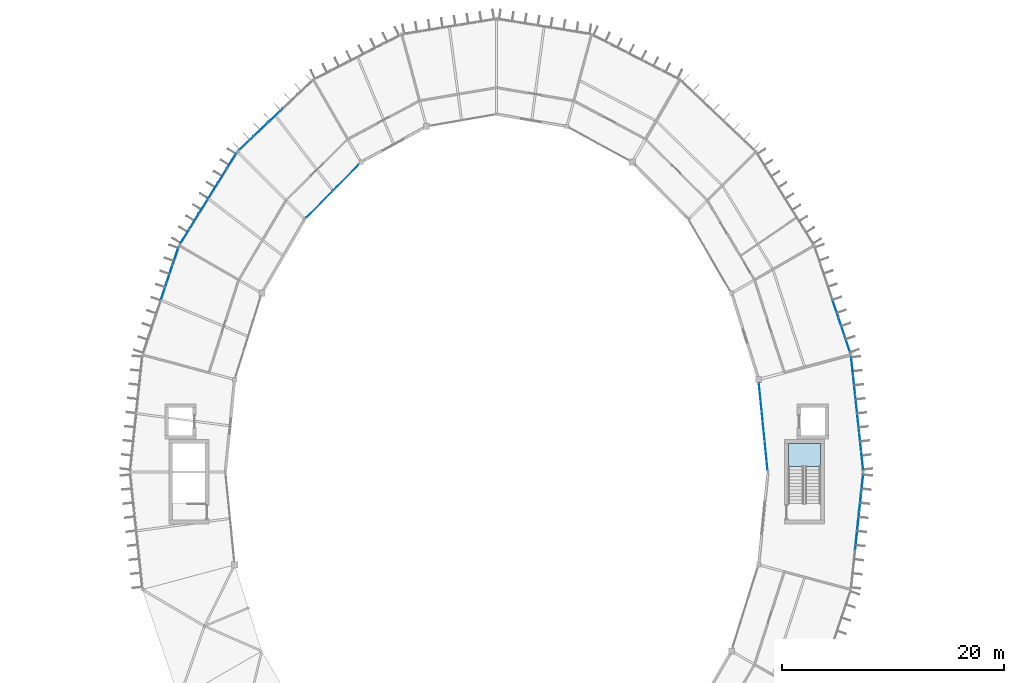
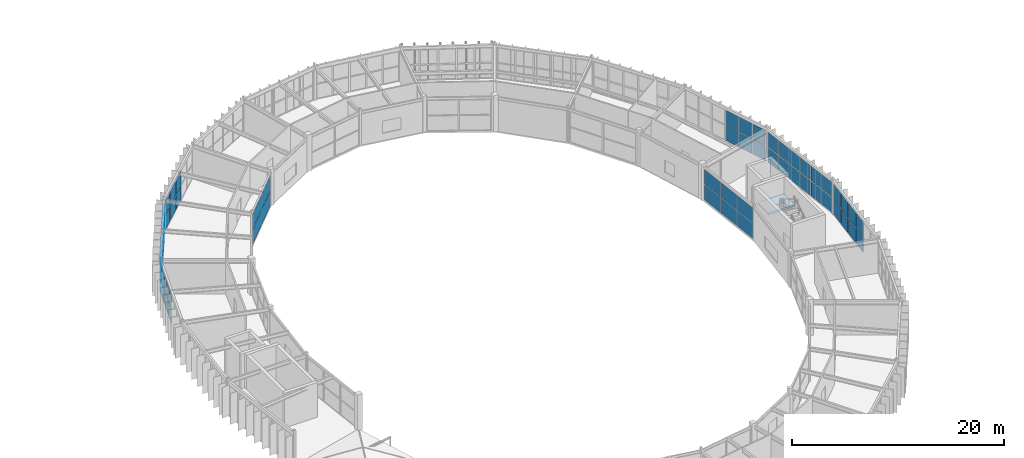
# One storey, part 82 of 106: 60 plates, 1 slab, 9 elements without a shape of their own.
"""IFC4 building model written with IfcOpenShell, lengths in metres."""

import ifcopenshell
import ifcopenshell.guid

model = None  # the IFC model being written
_history = None  # IfcOwnerHistory: only IFC2X3 demands one
_inside = {}  # id of a spatial element -> (the spatial element, [elements in it])
_under = {}  # id of a project, library or spatial element -> (it, [spatial elements below it])
_declared = {}  # id of a project -> (the project, [libraries it declares])
_typed = {}  # id of a type object -> (the type object, [elements of that type])
_made_of = {}  # id of a material, layer set ... -> (it, [elements and type objects made of it])


def new_model(schema):
    """Start an empty IFC model of exactly this schema.

    Asked for "IFC4X3", IfcOpenShell would pick the latest addendum, in which some entities
    have other attributes; the version numbers below select the first issue.
    IFC2X3 requires an IfcOwnerHistory on every rooted entity: one is made here for all.
    """
    global model, _history
    if schema == "IFC4X3":
        model = ifcopenshell.file(schema_version=(4, 3, 0, 0))
    else:
        model = ifcopenshell.file(schema=schema)
    _inside.clear()
    _under.clear()
    _declared.clear()
    _typed.clear()
    _made_of.clear()
    _history = None
    if model.schema == "IFC2X3":
        org = make("IfcOrganization", Name="unknown")
        user = make(
            "IfcPersonAndOrganization",
            ThePerson=make("IfcPerson", FamilyName="unknown"),
            TheOrganization=org,
        )
        app = make(
            "IfcApplication",
            ApplicationDeveloper=org,
            Version="unknown",
            ApplicationFullName="unknown",
            ApplicationIdentifier="unknown",
        )
        _history = make(
            "IfcOwnerHistory",
            OwningUser=user,
            OwningApplication=app,
            ChangeAction="ADDED",
            CreationDate=0,
        )
    return model


def make(cls, **values):
    """One entity of the class cls with the attributes given. An attribute that is None is left unset."""
    return model.create_entity(
        cls, **{name: value for name, value in values.items() if value is not None}
    )


def rooted(cls, **values):
    """An entity with a GlobalId (a new one), such as an element, a storey or a relation."""
    return make(cls, GlobalId=ifcopenshell.guid.new(), OwnerHistory=_history, **values)


def si_unit(unit_type, name, prefix=None):
    """IfcSIUnit, for example si_unit("LENGTHUNIT", "METRE", prefix="MILLI")."""
    return make("IfcSIUnit", UnitType=unit_type, Prefix=prefix, Name=name)


def assignment(units):
    """IfcUnitAssignment: the units of a project."""
    return None if units is None else make("IfcUnitAssignment", Units=units)


def point(xyz):
    """IfcCartesianPoint."""
    return None if xyz is None else make("IfcCartesianPoint", Coordinates=xyz)


def direction(xyz):
    """IfcDirection."""
    return None if xyz is None else make("IfcDirection", DirectionRatios=xyz)


def frame(location, z_axis=None, x_axis=None):
    """IfcAxis2Placement3D, a coordinate frame: its origin and axes. An axis left out is left unset."""
    return make(
        "IfcAxis2Placement3D",
        Location=point(location),
        Axis=direction(z_axis),
        RefDirection=direction(x_axis),
    )


def frame_2d(location, x_axis=None):
    """IfcAxis2Placement2D, a coordinate frame in the plane: its origin and x axis."""
    return make(
        "IfcAxis2Placement2D", Location=point(location), RefDirection=direction(x_axis)
    )


def origin():
    """The frame at (0, 0, 0) with its axes left unset."""
    return frame((0.0, 0.0, 0.0))


def origin_2d():
    """The frame at (0, 0) in the plane with its x axis left unset."""
    return frame_2d((0.0, 0.0))


def place(relative_to, where):
    """IfcLocalPlacement: puts the frame where relative to a parent placement (None: the world)."""
    return make(
        "IfcLocalPlacement", PlacementRelTo=relative_to, RelativePlacement=where
    )


def context(
    kind, dimensions, precision=None, world=None, true_north=None, identifier=None
):
    """IfcGeometricRepresentationContext, for example the 3D "Model" context."""
    return make(
        "IfcGeometricRepresentationContext",
        ContextIdentifier=identifier,
        ContextType=kind,
        CoordinateSpaceDimension=dimensions,
        Precision=precision,
        WorldCoordinateSystem=world,
        TrueNorth=true_north,
    )


def subcontext(parent, identifier, kind, view, scale=None):
    """IfcGeometricRepresentationSubContext, for example "Body" below "Model"."""
    return make(
        "IfcGeometricRepresentationSubContext",
        ContextIdentifier=identifier,
        ContextType=kind,
        ParentContext=parent,
        TargetScale=scale,
        TargetView=view,
    )


def project(units=None, contexts=None):
    """IfcProject with its units and contexts."""
    return rooted(
        "IfcProject",
        Name="project",
        RepresentationContexts=contexts,
        UnitsInContext=assignment(units),
    )


def spatial(cls, under=None, at=None, **own):
    """A site, building, storey or space (cls), placed at a placement, below another one or the project."""
    s = rooted(cls, ObjectPlacement=at, **own)
    if under is not None:
        _under.setdefault(under.id(), (under, []))[1].append(s)
    return s


def polyline(points):
    """IfcPolyline through the points."""
    return make("IfcPolyline", Points=[point(p) for p in points])


def profile(cls, at=None, kind="AREA", **sizes):
    """A parametric profile (cls). Its sizes go by their IFC names, for example OverallWidth=200.0."""
    return make(cls, ProfileType=kind, Position=at, **sizes)


def rectangle(**sizes):
    """IfcRectangleProfileDef."""
    return profile("IfcRectangleProfileDef", **sizes)


def outline(outer, holes=None, kind="AREA"):
    """IfcArbitraryClosedProfileDef: a profile drawn as a closed curve; with holes, ...WithVoids."""
    if holes is None:
        return make("IfcArbitraryClosedProfileDef", ProfileType=kind, OuterCurve=outer)
    return make(
        "IfcArbitraryProfileDefWithVoids",
        ProfileType=kind,
        OuterCurve=outer,
        InnerCurves=holes,
    )


def extrude(swept, where, along, depth):
    """IfcExtrudedAreaSolid: the profile swept, set in the frame where, extruded along a direction by depth."""
    return make(
        "IfcExtrudedAreaSolid",
        SweptArea=swept,
        Position=where,
        ExtrudedDirection=direction(along),
        Depth=depth,
    )


def shape(context_of_items, identifier, shape_type, items):
    """IfcShapeRepresentation: the items that make up one representation, for example the "Body"."""
    return make(
        "IfcShapeRepresentation",
        ContextOfItems=context_of_items,
        RepresentationIdentifier=identifier,
        RepresentationType=shape_type,
        Items=items,
    )


def material(Name=None, Category=None):
    """IfcMaterial."""
    return make("IfcMaterial", Name=Name, Category=Category)


def layer(
    of_material, thickness, ventilated=None, Name=None, Category=None, Priority=None
):
    """IfcMaterialLayer: one layer of a wall or slab, of a material (None: an air gap)."""
    return make(
        "IfcMaterialLayer",
        Material=of_material,
        LayerThickness=thickness,
        IsVentilated=ventilated,
        Name=Name,
        Category=Category,
        Priority=Priority,
    )


def layer_set(layers, Name=None):
    """IfcMaterialLayerSet."""
    return make("IfcMaterialLayerSet", MaterialLayers=layers, LayerSetName=Name)


def made_of(thing, what):
    """Note that an element or type object is made of a material, layer set ...; save() writes the relation."""
    if what is not None:
        _made_of.setdefault(what.id(), (what, []))[1].append(thing)
    return thing


def type_object(cls, material=None, **own):
    """A type object (cls), such as IfcWallType, which elements share."""
    return made_of(rooted(cls, **own), material)


def element(
    cls,
    number,
    at=None,
    inside=None,
    cuts=None,
    type_object=None,
    material=None,
    context=None,
    identifier="Body",
    shape_type=None,
    held_by="IfcProductDefinitionShape",
    body=None,
    shapes=None,
    **own,
):
    """One element of the class cls, such as IfcWall. Its Tag is "e" and its number.

    at: its placement. inside: the storey or other place that contains it. cuts: it is an
    opening in that element (IfcRelVoidsElement). A single representation is given by context,
    identifier, shape_type and body (its items); several are given by shapes. held_by: the class
    of the entity that holds the representations. save() writes the other relations.
    """
    e = rooted(cls, Tag="e%d" % number, ObjectPlacement=at, **own)
    if body is not None:
        shapes = [shape(context, identifier, shape_type, body)]
    if shapes is not None:
        e.Representation = make(held_by, Representations=shapes)
    if inside is not None:
        _inside.setdefault(inside.id(), (inside, []))[1].append(e)
    if cuts is not None:
        rooted(
            "IfcRelVoidsElement", RelatingBuildingElement=cuts, RelatedOpeningElement=e
        )
    if type_object is not None:
        _typed.setdefault(type_object.id(), (type_object, []))[1].append(e)
    return made_of(e, material)


def aggregate(whole, parts):
    """IfcRelAggregates: a whole, such as a stair, and the parts it consists of."""
    return rooted("IfcRelAggregates", RelatingObject=whole, RelatedObjects=parts)


def save(model, path):
    """Write the relations noted so far, then the file.

    IfcRelAggregates (storeys below a building ...), IfcRelContainedInSpatialStructure (elements
    in a storey), IfcRelDefinesByType, IfcRelAssociatesMaterial and IfcRelDeclares: one each for
    every whole, place, type object, material and project.
    """
    for whole, parts in _under.values():
        aggregate(whole, parts)
    for where, things in _inside.values():
        rooted(
            "IfcRelContainedInSpatialStructure",
            RelatedElements=things,
            RelatingStructure=where,
        )
    for kind, things in _typed.values():
        rooted("IfcRelDefinesByType", RelatedObjects=things, RelatingType=kind)
    for what, things in _made_of.values():
        rooted("IfcRelAssociatesMaterial", RelatedObjects=things, RelatingMaterial=what)
    for by, libraries in _declared.values():
        rooted("IfcRelDeclares", RelatingContext=by, RelatedDefinitions=libraries)
    model.write(path)


model = new_model("IFC4")

# Units and contexts
model_context = context("Model", 3, precision=1e-05, world=origin(), true_north=direction((0.0, 1.0)))
body_context = subcontext(model_context, "Body", "Model", "MODEL_VIEW")
ifc_project = project(units=[si_unit("LENGTHUNIT", "METRE"), si_unit("AREAUNIT", "SQUARE_METRE"), si_unit("VOLUMEUNIT", "CUBIC_METRE"), si_unit("PLANEANGLEUNIT", "RADIAN"), si_unit("MASSUNIT", "GRAM", prefix="KILO")], contexts=[model_context])

# Site, building, storey
site_placement = place(None, origin())
site = spatial("IfcSite", under=ifc_project, at=site_placement, CompositionType="ELEMENT")
building_placement = place(site_placement, origin())
building = spatial("IfcBuilding", under=site, at=building_placement, Name="Karori Crest Natural Sciences Institute", CompositionType="ELEMENT")
storey_placement = place(building_placement, frame((0.0, 0.0, 25.89990234375)))
storey = spatial("IfcBuildingStorey", under=building, at=storey_placement, Name="L06", CompositionType="ELEMENT", Elevation=25.89990234375)

# Curtain wall, plates
ifc_material_1 = material(Name="Anodised architectural aluminium 6063-T6", Category="aluminium")
curtain_wall_type_1 = type_object("IfcCurtainWallType", Name="CWT-01", PredefinedType="NOTDEFINED", material=ifc_material_1)
curtain_wall_1_placement = place(storey_placement, origin())
curtain_wall_1 = element("IfcCurtainWall", 1, at=curtain_wall_1_placement, inside=storey, type_object=curtain_wall_type_1, Name="Curtain wall CW-0220", PredefinedType="NOTDEFINED")
ifc_material_2 = material(Name="Double low-E laminated glass", Category="glass")
ifc_layer_1 = layer(ifc_material_2, 0.02392578125, Name="Double low-E laminated glass")
ifc_layer_set_1 = layer_set([ifc_layer_1], Name="Double low-E laminated glass")
plate_type_1 = type_object("IfcPlateType", Name="CWP-01", PredefinedType="CURTAIN_PANEL", material=ifc_layer_set_1)
plate_1_placement = place(storey_placement, frame((98.382080078125, 59.459716796875, 0.06494140625), z_axis=(0.0, 0.0, 1.0), x_axis=(0.105884496939, -0.994378435661, 0.0)))
plate_1 = element("IfcPlate", 2, at=plate_1_placement, type_object=plate_type_1, Name="CW-0220 panel 1.1", PredefinedType="CURTAIN_PANEL", context=body_context, shape_type="SweptSolid", body=[
    extrude(rectangle(XDim=1.630126953125, YDim=0.02392578125, at=origin_2d()), origin(), (0.0, 0.0, 1.0), 1.715087890625),
])
plate_2_placement = place(storey_placement, frame((98.382080078125, 59.459716796875, 1.84521484375), z_axis=(0.0, 0.0, 1.0), x_axis=(0.105884496939, -0.994378435661, 0.0)))
plate_2 = element("IfcPlate", 3, at=plate_2_placement, type_object=plate_type_1, Name="CW-0220 panel 1.2", PredefinedType="CURTAIN_PANEL", context=body_context, shape_type="SweptSolid", body=[
    extrude(rectangle(XDim=1.630126953125, YDim=0.02392578125, at=origin_2d()), origin(), (0.0, 0.0, 1.0), 1.715087890625),
])
plate_3_placement = place(storey_placement, frame((98.563232421875, 57.758056640625, 0.06494140625), z_axis=(0.0, 0.0, 1.0), x_axis=(0.105884496939, -0.994378435661, 0.0)))
plate_3 = element("IfcPlate", 4, at=plate_3_placement, type_object=plate_type_1, Name="CW-0220 panel 2.1", PredefinedType="CURTAIN_PANEL", context=body_context, shape_type="SweptSolid", body=[
    extrude(rectangle(XDim=1.66259765625, YDim=0.02392578125, at=origin_2d()), origin(), (0.0, 0.0, 1.0), 1.715087890625),
])
plate_4_placement = place(storey_placement, frame((98.563232421875, 57.758056640625, 1.84521484375), z_axis=(0.0, 0.0, 1.0), x_axis=(0.105884496939, -0.994378435661, 0.0)))
plate_4 = element("IfcPlate", 5, at=plate_4_placement, type_object=plate_type_1, Name="CW-0220 panel 2.2", PredefinedType="CURTAIN_PANEL", context=body_context, shape_type="SweptSolid", body=[
    extrude(rectangle(XDim=1.66259765625, YDim=0.02392578125, at=origin_2d()), origin(), (0.0, 0.0, 1.0), 1.715087890625),
])
plate_5_placement = place(storey_placement, frame((98.74609375, 56.040283203125, 0.06494140625), z_axis=(0.0, 0.0, 1.0), x_axis=(0.105884496939, -0.994378435661, 0.0)))
plate_5 = element("IfcPlate", 6, at=plate_5_placement, type_object=plate_type_1, Name="CW-0220 panel 3.1", PredefinedType="CURTAIN_PANEL", context=body_context, shape_type="SweptSolid", body=[
    extrude(rectangle(XDim=1.66259765625, YDim=0.02392578125, at=origin_2d()), origin(), (0.0, 0.0, 1.0), 1.715087890625),
])
plate_6_placement = place(storey_placement, frame((98.74609375, 56.040283203125, 1.84521484375), z_axis=(0.0, 0.0, 1.0), x_axis=(0.105884496939, -0.994378435661, 0.0)))
plate_6 = element("IfcPlate", 7, at=plate_6_placement, type_object=plate_type_1, Name="CW-0220 panel 3.2", PredefinedType="CURTAIN_PANEL", context=body_context, shape_type="SweptSolid", body=[
    extrude(rectangle(XDim=1.66259765625, YDim=0.02392578125, at=origin_2d()), origin(), (0.0, 0.0, 1.0), 1.715087890625),
])
plate_7_placement = place(storey_placement, frame((98.92919921875, 54.322509765625, 0.06494140625), z_axis=(0.0, 0.0, 1.0), x_axis=(0.105884496939, -0.994378435661, 0.0)))
plate_7 = element("IfcPlate", 8, at=plate_7_placement, type_object=plate_type_1, Name="CW-0220 panel 4.1", PredefinedType="CURTAIN_PANEL", context=body_context, shape_type="SweptSolid", body=[
    extrude(rectangle(XDim=1.66259765625, YDim=0.02392578125, at=origin_2d()), origin(), (0.0, 0.0, 1.0), 1.715087890625),
])
plate_8_placement = place(storey_placement, frame((98.92919921875, 54.322509765625, 1.84521484375), z_axis=(0.0, 0.0, 1.0), x_axis=(0.105884496939, -0.994378435661, 0.0)))
plate_8 = element("IfcPlate", 9, at=plate_8_placement, type_object=plate_type_1, Name="CW-0220 panel 4.2", PredefinedType="CURTAIN_PANEL", context=body_context, shape_type="SweptSolid", body=[
    extrude(rectangle(XDim=1.66259765625, YDim=0.02392578125, at=origin_2d()), origin(), (0.0, 0.0, 1.0), 1.715087890625),
])
plate_9_placement = place(storey_placement, frame((99.112060546875, 52.604736328125, 0.06494140625), z_axis=(0.0, 0.0, 1.0), x_axis=(0.105884496939, -0.994378435661, 0.0)))
plate_9 = element("IfcPlate", 10, at=plate_9_placement, type_object=plate_type_1, Name="CW-0220 panel 5.1", PredefinedType="CURTAIN_PANEL", context=body_context, shape_type="SweptSolid", body=[
    extrude(rectangle(XDim=1.66259765625, YDim=0.02392578125, at=origin_2d()), origin(), (0.0, 0.0, 1.0), 1.715087890625),
])
plate_10_placement = place(storey_placement, frame((99.112060546875, 52.604736328125, 1.84521484375), z_axis=(0.0, 0.0, 1.0), x_axis=(0.105884496939, -0.994378435661, 0.0)))
plate_10 = element("IfcPlate", 11, at=plate_10_placement, type_object=plate_type_1, Name="CW-0220 panel 5.2", PredefinedType="CURTAIN_PANEL", context=body_context, shape_type="SweptSolid", body=[
    extrude(rectangle(XDim=1.66259765625, YDim=0.02392578125, at=origin_2d()), origin(), (0.0, 0.0, 1.0), 1.715087890625),
])
plate_11_placement = place(storey_placement, frame((99.293212890625, 50.903076171875, 0.06494140625), z_axis=(0.0, 0.0, 1.0), x_axis=(0.105884496939, -0.994378435661, 0.0)))
plate_11 = element("IfcPlate", 12, at=plate_11_placement, type_object=plate_type_1, Name="CW-0220 panel 6.1", PredefinedType="CURTAIN_PANEL", context=body_context, shape_type="SweptSolid", body=[
    extrude(rectangle(XDim=1.630126953125, YDim=0.02392578125, at=origin_2d()), origin(), (0.0, 0.0, 1.0), 1.715087890625),
])
plate_12_placement = place(storey_placement, frame((99.293212890625, 50.903076171875, 1.84521484375), z_axis=(0.0, 0.0, 1.0), x_axis=(0.105884496939, -0.994378435661, 0.0)))
plate_12 = element("IfcPlate", 13, at=plate_12_placement, type_object=plate_type_1, Name="CW-0220 panel 6.2", PredefinedType="CURTAIN_PANEL", context=body_context, shape_type="SweptSolid", body=[
    extrude(rectangle(XDim=1.630126953125, YDim=0.02392578125, at=origin_2d()), origin(), (0.0, 0.0, 1.0), 1.715087890625),
])
aggregate(curtain_wall_1, [plate_1, plate_2, plate_3, plate_4, plate_5, plate_6, plate_7, plate_8, plate_9, plate_10, plate_11, plate_12])

curtain_wall_type_2 = type_object("IfcCurtainWallType", Name="CWT-11", PredefinedType="NOTDEFINED", material=ifc_material_1)
curtain_wall_2_placement = place(storey_placement, origin())
curtain_wall_2 = element("IfcCurtainWall", 14, at=curtain_wall_2_placement, inside=storey, type_object=curtain_wall_type_2, Name="Curtain wall CW-0221", PredefinedType="NOTDEFINED")
plate_13_placement = place(storey_placement, frame((90.65576171875, 51.345458984375, 0.06005859375), z_axis=(0.0, 0.0, 1.0), x_axis=(-0.099268494275, 0.995060684604, 0.0)))
plate_13 = element("IfcPlate", 15, at=plate_13_placement, type_object=plate_type_1, Name="CW-0221 panel 1.1", PredefinedType="CURTAIN_PANEL", context=body_context, shape_type="SweptSolid", body=[
    extrude(rectangle(XDim=2.568359375, YDim=0.02392578125, at=origin_2d()), origin(), (0.0, 0.0, 1.0), 1.735107421875),
])
plate_14_placement = place(storey_placement, frame((90.65576171875, 51.345458984375, 1.85498046875), z_axis=(0.0, 0.0, 1.0), x_axis=(-0.099268494275, 0.995060684604, 0.0)))
plate_14 = element("IfcPlate", 16, at=plate_14_placement, type_object=plate_type_1, Name="CW-0221 panel 1.2", PredefinedType="CURTAIN_PANEL", context=body_context, shape_type="SweptSolid", body=[
    extrude(rectangle(XDim=2.568359375, YDim=0.02392578125, at=origin_2d()), origin(), (0.0, 0.0, 1.0), 1.735107421875),
])
plate_15_placement = place(storey_placement, frame((90.392822265625, 53.98193359375, 0.06005859375), z_axis=(0.0, 0.0, 1.0), x_axis=(-0.099268494275, 0.995060684604, 0.0)))
plate_15 = element("IfcPlate", 17, at=plate_15_placement, type_object=plate_type_1, Name="CW-0221 panel 2.1", PredefinedType="CURTAIN_PANEL", context=body_context, shape_type="SweptSolid", body=[
    extrude(rectangle(XDim=2.600830078125, YDim=0.02392578125, at=origin_2d()), origin(), (0.0, 0.0, 1.0), 1.735107421875),
])
plate_16_placement = place(storey_placement, frame((90.392822265625, 53.98193359375, 1.85498046875), z_axis=(0.0, 0.0, 1.0), x_axis=(-0.099268494275, 0.995060684604, 0.0)))
plate_16 = element("IfcPlate", 18, at=plate_16_placement, type_object=plate_type_1, Name="CW-0221 panel 2.2", PredefinedType="CURTAIN_PANEL", context=body_context, shape_type="SweptSolid", body=[
    extrude(rectangle(XDim=2.600830078125, YDim=0.02392578125, at=origin_2d()), origin(), (0.0, 0.0, 1.0), 1.735107421875),
])
plate_17_placement = place(storey_placement, frame((90.129638671875, 56.618408203125, 0.06005859375), z_axis=(0.0, 0.0, 1.0), x_axis=(-0.099268494275, 0.995060684604, 0.0)))
plate_17 = element("IfcPlate", 19, at=plate_17_placement, type_object=plate_type_1, Name="CW-0221 panel 3.1", PredefinedType="CURTAIN_PANEL", context=body_context, shape_type="SweptSolid", body=[
    extrude(rectangle(XDim=2.568359375, YDim=0.02392578125, at=origin_2d()), origin(), (0.0, 0.0, 1.0), 1.735107421875),
])
plate_18_placement = place(storey_placement, frame((90.129638671875, 56.618408203125, 1.85498046875), z_axis=(0.0, 0.0, 1.0), x_axis=(-0.099268494275, 0.995060684604, 0.0)))
plate_18 = element("IfcPlate", 20, at=plate_18_placement, type_object=plate_type_1, Name="CW-0221 panel 3.2", PredefinedType="CURTAIN_PANEL", context=body_context, shape_type="SweptSolid", body=[
    extrude(rectangle(XDim=2.568359375, YDim=0.02392578125, at=origin_2d()), origin(), (0.0, 0.0, 1.0), 1.735107421875),
])
aggregate(curtain_wall_2, [plate_13, plate_14, plate_15, plate_16, plate_17, plate_18])

curtain_wall_type_3 = type_object("IfcCurtainWallType", Name="CWT-14", PredefinedType="NOTDEFINED", material=ifc_material_1)
curtain_wall_3_placement = place(storey_placement, origin())
curtain_wall_3 = element("IfcCurtainWall", 21, at=curtain_wall_3_placement, inside=storey, type_object=curtain_wall_type_3, Name="Curtain wall CW-0233", PredefinedType="NOTDEFINED")
plate_19_placement = place(storey_placement, frame((52.803466796875, 76.371826171875, 0.06005859375), z_axis=(0.0, 0.0, 1.0), x_axis=(-0.702660818381, -0.711524963942, 0.0)))
plate_19 = element("IfcPlate", 22, at=plate_19_placement, type_object=plate_type_1, Name="CW-0233 panel 1.1", PredefinedType="CURTAIN_PANEL", context=body_context, shape_type="SweptSolid", body=[
    extrude(rectangle(XDim=3.286865234375, YDim=0.02392578125, at=origin_2d()), origin(), (0.0, 0.0, 1.0), 1.7099609375),
])
plate_20_placement = place(storey_placement, frame((52.803466796875, 76.371826171875, 1.830078125), z_axis=(0.0, 0.0, 1.0), x_axis=(-0.702660818381, -0.711524963942, 0.0)))
plate_20 = element("IfcPlate", 23, at=plate_20_placement, type_object=plate_type_1, Name="CW-0233 panel 1.2", PredefinedType="CURTAIN_PANEL", context=body_context, shape_type="SweptSolid", body=[
    extrude(rectangle(XDim=3.286865234375, YDim=0.02392578125, at=origin_2d()), origin(), (0.0, 0.0, 1.0), 1.7099609375),
])
plate_21_placement = place(storey_placement, frame((50.4482421875, 73.98681640625, 0.06005859375), z_axis=(0.0, 0.0, 1.0), x_axis=(-0.702660818381, -0.711524963942, 0.0)))
plate_21 = element("IfcPlate", 24, at=plate_21_placement, type_object=plate_type_1, Name="CW-0233 panel 2.1", PredefinedType="CURTAIN_PANEL", context=body_context, shape_type="SweptSolid", body=[
    extrude(rectangle(XDim=3.286865234375, YDim=0.02392578125, at=origin_2d()), origin(), (0.0, 0.0, 1.0), 1.7099609375),
])
plate_22_placement = place(storey_placement, frame((50.4482421875, 73.98681640625, 1.830078125), z_axis=(0.0, 0.0, 1.0), x_axis=(-0.702660818381, -0.711524963942, 0.0)))
plate_22 = element("IfcPlate", 25, at=plate_22_placement, type_object=plate_type_1, Name="CW-0233 panel 2.2", PredefinedType="CURTAIN_PANEL", context=body_context, shape_type="SweptSolid", body=[
    extrude(rectangle(XDim=3.286865234375, YDim=0.02392578125, at=origin_2d()), origin(), (0.0, 0.0, 1.0), 1.7099609375),
])
aggregate(curtain_wall_3, [plate_19, plate_20, plate_21, plate_22])

curtain_wall_type_4 = type_object("IfcCurtainWallType", Name="CWT-10", PredefinedType="NOTDEFINED", material=ifc_material_1)
curtain_wall_4_placement = place(storey_placement, origin())
curtain_wall_4 = element("IfcCurtainWall", 26, at=curtain_wall_4_placement, inside=storey, type_object=curtain_wall_type_4, Name="Curtain wall CW-0234", PredefinedType="NOTDEFINED")
plate_23_placement = place(storey_placement, frame((38.33154296875, 71.1220703125, 0.06005859375), z_axis=(0.0, 0.0, 1.0), x_axis=(0.527323896352, 0.849664350398, 0.0)))
plate_23 = element("IfcPlate", 27, at=plate_23_placement, type_object=plate_type_1, Name="CW-0234 panel 1.1", PredefinedType="CURTAIN_PANEL", context=body_context, shape_type="SweptSolid", body=[
    extrude(rectangle(XDim=1.51025390625, YDim=0.02392578125, at=origin_2d()), origin(), (0.0, 0.0, 1.0), 1.672607421875),
])
plate_24_placement = place(storey_placement, frame((38.33154296875, 71.1220703125, 1.79248046875), z_axis=(0.0, 0.0, 1.0), x_axis=(0.527323896352, 0.849664350398, 0.0)))
plate_24 = element("IfcPlate", 28, at=plate_24_placement, type_object=plate_type_1, Name="CW-0234 panel 1.2", PredefinedType="CURTAIN_PANEL", context=body_context, shape_type="SweptSolid", body=[
    extrude(rectangle(XDim=1.51025390625, YDim=0.02392578125, at=origin_2d()), origin(), (0.0, 0.0, 1.0), 1.672607421875),
])
plate_25_placement = place(storey_placement, frame((39.170654296875, 72.474365234375, 0.06005859375), z_axis=(0.0, 0.0, 1.0), x_axis=(0.527323896352, 0.849664350398, 0.0)))
plate_25 = element("IfcPlate", 29, at=plate_25_placement, type_object=plate_type_1, Name="CW-0234 panel 2.1", PredefinedType="CURTAIN_PANEL", context=body_context, shape_type="SweptSolid", body=[
    extrude(rectangle(XDim=1.542724609375, YDim=0.02392578125, at=origin_2d()), origin(), (0.0, 0.0, 1.0), 1.672607421875),
])
plate_26_placement = place(storey_placement, frame((39.170654296875, 72.474365234375, 1.79248046875), z_axis=(0.0, 0.0, 1.0), x_axis=(0.527323896352, 0.849664350398, 0.0)))
plate_26 = element("IfcPlate", 30, at=plate_26_placement, type_object=plate_type_1, Name="CW-0234 panel 2.2", PredefinedType="CURTAIN_PANEL", context=body_context, shape_type="SweptSolid", body=[
    extrude(rectangle(XDim=1.542724609375, YDim=0.02392578125, at=origin_2d()), origin(), (0.0, 0.0, 1.0), 1.672607421875),
])
plate_27_placement = place(storey_placement, frame((40.0185546875, 73.840576171875, 0.06005859375), z_axis=(0.0, 0.0, 1.0), x_axis=(0.527323896352, 0.849664350398, 0.0)))
plate_27 = element("IfcPlate", 31, at=plate_27_placement, type_object=plate_type_1, Name="CW-0234 panel 3.1", PredefinedType="CURTAIN_PANEL", context=body_context, shape_type="SweptSolid", body=[
    extrude(rectangle(XDim=1.542724609375, YDim=0.02392578125, at=origin_2d()), origin(), (0.0, 0.0, 1.0), 1.672607421875),
])
plate_28_placement = place(storey_placement, frame((40.0185546875, 73.840576171875, 1.79248046875), z_axis=(0.0, 0.0, 1.0), x_axis=(0.527323896352, 0.849664350398, 0.0)))
plate_28 = element("IfcPlate", 32, at=plate_28_placement, type_object=plate_type_1, Name="CW-0234 panel 3.2", PredefinedType="CURTAIN_PANEL", context=body_context, shape_type="SweptSolid", body=[
    extrude(rectangle(XDim=1.542724609375, YDim=0.02392578125, at=origin_2d()), origin(), (0.0, 0.0, 1.0), 1.672607421875),
])
plate_29_placement = place(storey_placement, frame((40.866455078125, 75.20654296875, 0.06005859375), z_axis=(0.0, 0.0, 1.0), x_axis=(0.527323896352, 0.849664350398, 0.0)))
plate_29 = element("IfcPlate", 33, at=plate_29_placement, type_object=plate_type_1, Name="CW-0234 panel 4.1", PredefinedType="CURTAIN_PANEL", context=body_context, shape_type="SweptSolid", body=[
    extrude(rectangle(XDim=1.542724609375, YDim=0.02392578125, at=origin_2d()), origin(), (0.0, 0.0, 1.0), 1.672607421875),
])
plate_30_placement = place(storey_placement, frame((40.866455078125, 75.20654296875, 1.79248046875), z_axis=(0.0, 0.0, 1.0), x_axis=(0.527323896352, 0.849664350398, 0.0)))
plate_30 = element("IfcPlate", 34, at=plate_30_placement, type_object=plate_type_1, Name="CW-0234 panel 4.2", PredefinedType="CURTAIN_PANEL", context=body_context, shape_type="SweptSolid", body=[
    extrude(rectangle(XDim=1.542724609375, YDim=0.02392578125, at=origin_2d()), origin(), (0.0, 0.0, 1.0), 1.672607421875),
])
plate_31_placement = place(storey_placement, frame((41.714111328125, 76.572509765625, 0.06005859375), z_axis=(0.0, 0.0, 1.0), x_axis=(0.527323896352, 0.849664350398, 0.0)))
plate_31 = element("IfcPlate", 35, at=plate_31_placement, type_object=plate_type_1, Name="CW-0234 panel 5.1", PredefinedType="CURTAIN_PANEL", context=body_context, shape_type="SweptSolid", body=[
    extrude(rectangle(XDim=1.542724609375, YDim=0.02392578125, at=origin_2d()), origin(), (0.0, 0.0, 1.0), 1.672607421875),
])
plate_32_placement = place(storey_placement, frame((41.714111328125, 76.572509765625, 1.79248046875), z_axis=(0.0, 0.0, 1.0), x_axis=(0.527323896352, 0.849664350398, 0.0)))
plate_32 = element("IfcPlate", 36, at=plate_32_placement, type_object=plate_type_1, Name="CW-0234 panel 5.2", PredefinedType="CURTAIN_PANEL", context=body_context, shape_type="SweptSolid", body=[
    extrude(rectangle(XDim=1.542724609375, YDim=0.02392578125, at=origin_2d()), origin(), (0.0, 0.0, 1.0), 1.672607421875),
])
plate_33_placement = place(storey_placement, frame((42.553466796875, 77.9248046875, 0.06005859375), z_axis=(0.0, 0.0, 1.0), x_axis=(0.527323896352, 0.849664350398, 0.0)))
plate_33 = element("IfcPlate", 37, at=plate_33_placement, type_object=plate_type_1, Name="CW-0234 panel 6.1", PredefinedType="CURTAIN_PANEL", context=body_context, shape_type="SweptSolid", body=[
    extrude(rectangle(XDim=1.51025390625, YDim=0.02392578125, at=origin_2d()), origin(), (0.0, 0.0, 1.0), 1.672607421875),
])
plate_34_placement = place(storey_placement, frame((42.553466796875, 77.9248046875, 1.79248046875), z_axis=(0.0, 0.0, 1.0), x_axis=(0.527323896352, 0.849664350398, 0.0)))
plate_34 = element("IfcPlate", 38, at=plate_34_placement, type_object=plate_type_1, Name="CW-0234 panel 6.2", PredefinedType="CURTAIN_PANEL", context=body_context, shape_type="SweptSolid", body=[
    extrude(rectangle(XDim=1.51025390625, YDim=0.02392578125, at=origin_2d()), origin(), (0.0, 0.0, 1.0), 1.672607421875),
])
aggregate(curtain_wall_4, [plate_23, plate_24, plate_25, plate_26, plate_27, plate_28, plate_29, plate_30, plate_31, plate_32, plate_33, plate_34])

curtain_wall_type_5 = type_object("IfcCurtainWallType", Name="CWT-02", PredefinedType="NOTDEFINED", material=ifc_material_1)
curtain_wall_5_placement = place(storey_placement, origin())
curtain_wall_5 = element("IfcCurtainWall", 39, at=curtain_wall_5_placement, inside=storey, type_object=curtain_wall_type_5, Name="Curtain wall CW-0222", PredefinedType="NOTDEFINED")
ifc_layer_2 = layer(ifc_material_2, 0.033935546875, Name="Double low-E laminated glass")
ifc_layer_set_2 = layer_set([ifc_layer_2], Name="Double low-E laminated glass")
plate_type_2 = type_object("IfcPlateType", Name="CWP-02", PredefinedType="CURTAIN_PANEL", material=ifc_layer_set_2)
plate_35_placement = place(storey_placement, frame((96.888427734375, 64.599853515625, 0.06005859375), z_axis=(0.0, 0.0, 1.0), x_axis=(0.317679803392, -0.94819805026, 0.0)))
plate_35 = element("IfcPlate", 40, at=plate_35_placement, type_object=plate_type_2, Name="CW-0222 panel 4.1", PredefinedType="CURTAIN_PANEL", context=body_context, shape_type="SweptSolid", body=[
    extrude(rectangle(XDim=1.628662109375, YDim=0.033935546875, at=origin_2d()), origin(), (0.0, 0.0, 1.0), 1.722412109375),
])
plate_36_placement = place(storey_placement, frame((96.888427734375, 64.599853515625, 1.8427734375), z_axis=(0.0, 0.0, 1.0), x_axis=(0.317679803392, -0.94819805026, 0.0)))
plate_36 = element("IfcPlate", 41, at=plate_36_placement, type_object=plate_type_2, Name="CW-0222 panel 4.2", PredefinedType="CURTAIN_PANEL", context=body_context, shape_type="SweptSolid", body=[
    extrude(rectangle(XDim=1.628662109375, YDim=0.033935546875, at=origin_2d()), origin(), (0.0, 0.0, 1.0), 1.722412109375),
])
plate_37_placement = place(storey_placement, frame((97.426513671875, 62.993896484375, 0.06005859375), z_axis=(0.0, 0.0, 1.0), x_axis=(0.317679803392, -0.94819805026, 0.0)))
plate_37 = element("IfcPlate", 42, at=plate_37_placement, type_object=plate_type_2, Name="CW-0222 panel 5.1", PredefinedType="CURTAIN_PANEL", context=body_context, shape_type="SweptSolid", body=[
    extrude(rectangle(XDim=1.628662109375, YDim=0.033935546875, at=origin_2d()), origin(), (0.0, 0.0, 1.0), 1.722412109375),
])
plate_38_placement = place(storey_placement, frame((97.426513671875, 62.993896484375, 1.8427734375), z_axis=(0.0, 0.0, 1.0), x_axis=(0.317679803392, -0.94819805026, 0.0)))
plate_38 = element("IfcPlate", 43, at=plate_38_placement, type_object=plate_type_2, Name="CW-0222 panel 5.2", PredefinedType="CURTAIN_PANEL", context=body_context, shape_type="SweptSolid", body=[
    extrude(rectangle(XDim=1.628662109375, YDim=0.033935546875, at=origin_2d()), origin(), (0.0, 0.0, 1.0), 1.722412109375),
])
plate_39_placement = place(storey_placement, frame((97.95947265625, 61.4033203125, 0.06005859375), z_axis=(0.0, 0.0, 1.0), x_axis=(0.317679803392, -0.94819805026, 0.0)))
plate_39 = element("IfcPlate", 44, at=plate_39_placement, type_object=plate_type_2, Name="CW-0222 panel 6.1", PredefinedType="CURTAIN_PANEL", context=body_context, shape_type="SweptSolid", body=[
    extrude(rectangle(XDim=1.59619140625, YDim=0.033935546875, at=origin_2d()), origin(), (0.0, 0.0, 1.0), 1.722412109375),
])
plate_40_placement = place(storey_placement, frame((97.95947265625, 61.4033203125, 1.8427734375), z_axis=(0.0, 0.0, 1.0), x_axis=(0.317679803392, -0.94819805026, 0.0)))
plate_40 = element("IfcPlate", 45, at=plate_40_placement, type_object=plate_type_2, Name="CW-0222 panel 6.2", PredefinedType="CURTAIN_PANEL", context=body_context, shape_type="SweptSolid", body=[
    extrude(rectangle(XDim=1.59619140625, YDim=0.033935546875, at=origin_2d()), origin(), (0.0, 0.0, 1.0), 1.722412109375),
])
aggregate(curtain_wall_5, [plate_35, plate_36, plate_37, plate_38, plate_39, plate_40])

curtain_wall_6_placement = place(storey_placement, origin())
curtain_wall_6 = element("IfcCurtainWall", 46, at=curtain_wall_6_placement, inside=storey, type_object=curtain_wall_type_1, Name="Curtain wall CW-0235", PredefinedType="NOTDEFINED")
plate_41_placement = place(storey_placement, frame((36.43408203125, 66.159912109375, 0.065185546875), z_axis=(0.0, 0.0, 1.0), x_axis=(0.317679803392, 0.94819805026, 0.0)))
plate_41 = element("IfcPlate", 47, at=plate_41_placement, type_object=plate_type_2, Name="CW-0235 panel 4.1", PredefinedType="CURTAIN_PANEL", context=body_context, shape_type="SweptSolid", body=[
    extrude(rectangle(XDim=1.628662109375, YDim=0.033935546875, at=origin_2d()), origin(), (0.0, 0.0, 1.0), 1.6650390625),
])
plate_42_placement = place(storey_placement, frame((36.43408203125, 66.159912109375, 1.795166015625), z_axis=(0.0, 0.0, 1.0), x_axis=(0.317679803392, 0.94819805026, 0.0)))
plate_42 = element("IfcPlate", 48, at=plate_42_placement, type_object=plate_type_2, Name="CW-0235 panel 4.2", PredefinedType="CURTAIN_PANEL", context=body_context, shape_type="SweptSolid", body=[
    extrude(rectangle(XDim=1.628662109375, YDim=0.033935546875, at=origin_2d()), origin(), (0.0, 0.0, 1.0), 1.6650390625),
])
plate_43_placement = place(storey_placement, frame((36.97216796875, 67.765869140625, 0.065185546875), z_axis=(0.0, 0.0, 1.0), x_axis=(0.317679803392, 0.94819805026, 0.0)))
plate_43 = element("IfcPlate", 49, at=plate_43_placement, type_object=plate_type_2, Name="CW-0235 panel 5.1", PredefinedType="CURTAIN_PANEL", context=body_context, shape_type="SweptSolid", body=[
    extrude(rectangle(XDim=1.628662109375, YDim=0.033935546875, at=origin_2d()), origin(), (0.0, 0.0, 1.0), 1.6650390625),
])
plate_44_placement = place(storey_placement, frame((36.97216796875, 67.765869140625, 1.795166015625), z_axis=(0.0, 0.0, 1.0), x_axis=(0.317679803392, 0.94819805026, 0.0)))
plate_44 = element("IfcPlate", 50, at=plate_44_placement, type_object=plate_type_2, Name="CW-0235 panel 5.2", PredefinedType="CURTAIN_PANEL", context=body_context, shape_type="SweptSolid", body=[
    extrude(rectangle(XDim=1.628662109375, YDim=0.033935546875, at=origin_2d()), origin(), (0.0, 0.0, 1.0), 1.6650390625),
])
plate_45_placement = place(storey_placement, frame((37.505126953125, 69.3564453125, 0.065185546875), z_axis=(0.0, 0.0, 1.0), x_axis=(0.317679803392, 0.94819805026, 0.0)))
plate_45 = element("IfcPlate", 51, at=plate_45_placement, type_object=plate_type_2, Name="CW-0235 panel 6.1", PredefinedType="CURTAIN_PANEL", context=body_context, shape_type="SweptSolid", body=[
    extrude(rectangle(XDim=1.59619140625, YDim=0.033935546875, at=origin_2d()), origin(), (0.0, 0.0, 1.0), 1.6650390625),
])
plate_46_placement = place(storey_placement, frame((37.505126953125, 69.3564453125, 1.795166015625), z_axis=(0.0, 0.0, 1.0), x_axis=(0.317679803392, 0.94819805026, 0.0)))
plate_46 = element("IfcPlate", 52, at=plate_46_placement, type_object=plate_type_2, Name="CW-0235 panel 6.2", PredefinedType="CURTAIN_PANEL", context=body_context, shape_type="SweptSolid", body=[
    extrude(rectangle(XDim=1.59619140625, YDim=0.033935546875, at=origin_2d()), origin(), (0.0, 0.0, 1.0), 1.6650390625),
])
aggregate(curtain_wall_6, [plate_41, plate_42, plate_43, plate_44, plate_45, plate_46])

curtain_wall_type_6 = type_object("IfcCurtainWallType", Name="CWT-04", PredefinedType="NOTDEFINED", material=ifc_material_1)
curtain_wall_7_placement = place(storey_placement, origin())
curtain_wall_7 = element("IfcCurtainWall", 53, at=curtain_wall_7_placement, inside=storey, type_object=curtain_wall_type_6, Name="Curtain wall CW-0219", PredefinedType="NOTDEFINED")
ifc_layer_3 = layer(ifc_material_2, 0.0439453125, Name="Double low-E laminated glass")
ifc_layer_set_3 = layer_set([ifc_layer_3], Name="Double low-E laminated glass")
plate_type_3 = type_object("IfcPlateType", Name="CWP-03", PredefinedType="CURTAIN_PANEL", material=ifc_layer_set_3)
plate_47_placement = place(storey_placement, frame((99.292724609375, 48.89306640625, 0.06005859375), z_axis=(0.0, 0.0, 1.0), x_axis=(-0.105885677057, -0.994378309998, 0.0)))
plate_47 = element("IfcPlate", 54, at=plate_47_placement, type_object=plate_type_3, Name="CW-0219 panel 1.1", PredefinedType="CURTAIN_PANEL", context=body_context, shape_type="SweptSolid", body=[
    extrude(rectangle(XDim=1.6376953125, YDim=0.0439453125, at=origin_2d()), origin(), (0.0, 0.0, 1.0), 1.722412109375),
])
plate_48_placement = place(storey_placement, frame((99.292724609375, 48.89306640625, 1.8427734375), z_axis=(0.0, 0.0, 1.0), x_axis=(-0.105885677057, -0.994378309998, 0.0)))
plate_48 = element("IfcPlate", 55, at=plate_48_placement, type_object=plate_type_3, Name="CW-0219 panel 1.2", PredefinedType="CURTAIN_PANEL", context=body_context, shape_type="SweptSolid", body=[
    extrude(rectangle(XDim=1.6376953125, YDim=0.0439453125, at=origin_2d()), origin(), (0.0, 0.0, 1.0), 1.722412109375),
])
plate_49_placement = place(storey_placement, frame((99.11083984375, 47.183837890625, 0.06005859375), z_axis=(0.0, 0.0, 1.0), x_axis=(-0.105885677057, -0.994378309998, 0.0)))
plate_49 = element("IfcPlate", 56, at=plate_49_placement, type_object=plate_type_3, Name="CW-0219 panel 2.1", PredefinedType="CURTAIN_PANEL", context=body_context, shape_type="SweptSolid", body=[
    extrude(rectangle(XDim=1.670166015625, YDim=0.0439453125, at=origin_2d()), origin(), (0.0, 0.0, 1.0), 1.722412109375),
])
plate_50_placement = place(storey_placement, frame((99.11083984375, 47.183837890625, 1.8427734375), z_axis=(0.0, 0.0, 1.0), x_axis=(-0.105885677057, -0.994378309998, 0.0)))
plate_50 = element("IfcPlate", 57, at=plate_50_placement, type_object=plate_type_3, Name="CW-0219 panel 2.2", PredefinedType="CURTAIN_PANEL", context=body_context, shape_type="SweptSolid", body=[
    extrude(rectangle(XDim=1.670166015625, YDim=0.0439453125, at=origin_2d()), origin(), (0.0, 0.0, 1.0), 1.722412109375),
])
plate_51_placement = place(storey_placement, frame((98.927001953125, 45.45849609375, 0.06005859375), z_axis=(0.0, 0.0, 1.0), x_axis=(-0.105885677057, -0.994378309998, 0.0)))
plate_51 = element("IfcPlate", 58, at=plate_51_placement, type_object=plate_type_3, Name="CW-0219 panel 3.1", PredefinedType="CURTAIN_PANEL", context=body_context, shape_type="SweptSolid", body=[
    extrude(rectangle(XDim=1.670166015625, YDim=0.0439453125, at=origin_2d()), origin(), (0.0, 0.0, 1.0), 1.722412109375),
])
plate_52_placement = place(storey_placement, frame((98.927001953125, 45.45849609375, 1.8427734375), z_axis=(0.0, 0.0, 1.0), x_axis=(-0.105885677057, -0.994378309998, 0.0)))
plate_52 = element("IfcPlate", 59, at=plate_52_placement, type_object=plate_type_3, Name="CW-0219 panel 3.2", PredefinedType="CURTAIN_PANEL", context=body_context, shape_type="SweptSolid", body=[
    extrude(rectangle(XDim=1.670166015625, YDim=0.0439453125, at=origin_2d()), origin(), (0.0, 0.0, 1.0), 1.722412109375),
])
plate_53_placement = place(storey_placement, frame((98.743408203125, 43.73291015625, 0.06005859375), z_axis=(0.0, 0.0, 1.0), x_axis=(-0.105885677057, -0.994378309998, 0.0)))
plate_53 = element("IfcPlate", 60, at=plate_53_placement, type_object=plate_type_3, Name="CW-0219 panel 4.1", PredefinedType="CURTAIN_PANEL", context=body_context, shape_type="SweptSolid", body=[
    extrude(rectangle(XDim=1.670166015625, YDim=0.0439453125, at=origin_2d()), origin(), (0.0, 0.0, 1.0), 1.722412109375),
])
plate_54_placement = place(storey_placement, frame((98.743408203125, 43.73291015625, 1.8427734375), z_axis=(0.0, 0.0, 1.0), x_axis=(-0.105885677057, -0.994378309998, 0.0)))
plate_54 = element("IfcPlate", 61, at=plate_54_placement, type_object=plate_type_3, Name="CW-0219 panel 4.2", PredefinedType="CURTAIN_PANEL", context=body_context, shape_type="SweptSolid", body=[
    extrude(rectangle(XDim=1.670166015625, YDim=0.0439453125, at=origin_2d()), origin(), (0.0, 0.0, 1.0), 1.722412109375),
])
aggregate(curtain_wall_7, [plate_47, plate_48, plate_49, plate_50, plate_51, plate_52, plate_53, plate_54])

curtain_wall_type_7 = type_object("IfcCurtainWallType", Name="CWT-09", PredefinedType="NOTDEFINED", material=ifc_material_1)
curtain_wall_8_placement = place(storey_placement, origin())
curtain_wall_8 = element("IfcCurtainWall", 62, at=curtain_wall_8_placement, inside=storey, type_object=curtain_wall_type_7, Name="Curtain wall CW-0232", PredefinedType="NOTDEFINED")
plate_55_placement = place(storey_placement, frame((43.866943359375, 79.510498046875, 0.065185546875), z_axis=(0.0, 0.0, 1.0), x_axis=(0.725473081026, 0.688250542104, 0.0)))
plate_55 = element("IfcPlate", 63, at=plate_55_placement, type_object=plate_type_3, Name="CW-0232 panel 1.1", PredefinedType="CURTAIN_PANEL", context=body_context, shape_type="SweptSolid", body=[
    extrude(rectangle(XDim=1.73095703125, YDim=0.0439453125, at=origin_2d()), origin(), (0.0, 0.0, 1.0), 1.6650390625),
])
plate_56_placement = place(storey_placement, frame((43.866943359375, 79.510498046875, 1.795166015625), z_axis=(0.0, 0.0, 1.0), x_axis=(0.725473081026, 0.688250542104, 0.0)))
plate_56 = element("IfcPlate", 64, at=plate_56_placement, type_object=plate_type_3, Name="CW-0232 panel 1.2", PredefinedType="CURTAIN_PANEL", context=body_context, shape_type="SweptSolid", body=[
    extrude(rectangle(XDim=1.73095703125, YDim=0.0439453125, at=origin_2d()), origin(), (0.0, 0.0, 1.0), 1.6650390625),
])
plate_57_placement = place(storey_placement, frame((45.181640625, 80.757568359375, 0.065185546875), z_axis=(0.0, 0.0, 1.0), x_axis=(0.725473081026, 0.688250542104, 0.0)))
plate_57 = element("IfcPlate", 65, at=plate_57_placement, type_object=plate_type_3, Name="CW-0232 panel 2.1", PredefinedType="CURTAIN_PANEL", context=body_context, shape_type="SweptSolid", body=[
    extrude(rectangle(XDim=1.763427734375, YDim=0.0439453125, at=origin_2d()), origin(), (0.0, 0.0, 1.0), 1.6650390625),
])
plate_58_placement = place(storey_placement, frame((45.181640625, 80.757568359375, 1.795166015625), z_axis=(0.0, 0.0, 1.0), x_axis=(0.725473081026, 0.688250542104, 0.0)))
plate_58 = element("IfcPlate", 66, at=plate_58_placement, type_object=plate_type_3, Name="CW-0232 panel 2.2", PredefinedType="CURTAIN_PANEL", context=body_context, shape_type="SweptSolid", body=[
    extrude(rectangle(XDim=1.763427734375, YDim=0.0439453125, at=origin_2d()), origin(), (0.0, 0.0, 1.0), 1.6650390625),
])
plate_59_placement = place(storey_placement, frame((46.50830078125, 82.01611328125, 0.065185546875), z_axis=(0.0, 0.0, 1.0), x_axis=(0.725473081026, 0.688250542104, 0.0)))
plate_59 = element("IfcPlate", 67, at=plate_59_placement, type_object=plate_type_3, Name="CW-0232 panel 3.1", PredefinedType="CURTAIN_PANEL", context=body_context, shape_type="SweptSolid", body=[
    extrude(rectangle(XDim=1.763427734375, YDim=0.0439453125, at=origin_2d()), origin(), (0.0, 0.0, 1.0), 1.6650390625),
])
plate_60_placement = place(storey_placement, frame((46.50830078125, 82.01611328125, 1.795166015625), z_axis=(0.0, 0.0, 1.0), x_axis=(0.725473081026, 0.688250542104, 0.0)))
plate_60 = element("IfcPlate", 68, at=plate_60_placement, type_object=plate_type_3, Name="CW-0232 panel 3.2", PredefinedType="CURTAIN_PANEL", context=body_context, shape_type="SweptSolid", body=[
    extrude(rectangle(XDim=1.763427734375, YDim=0.0439453125, at=origin_2d()), origin(), (0.0, 0.0, 1.0), 1.6650390625),
])
aggregate(curtain_wall_8, [plate_55, plate_56, plate_57, plate_58, plate_59, plate_60])

# Stair, slab
ifc_material_3 = material(Name="Concrete 40 MPa", Category="concrete")
stair_type = type_object("IfcStairType", Name="STT-01", PredefinedType="HALF_TURN_STAIR", material=ifc_material_3)
stair_placement = place(storey_placement, origin())
stair = element("IfcStair", 69, at=stair_placement, inside=storey, type_object=stair_type, Name="Protected stair ST-01-L06", PredefinedType="HALF_TURN_STAIR")
ifc_layer_4 = layer(ifc_material_3, 0.2099609375, Name="Concrete 40 MPa")
ifc_layer_set_4 = layer_set([ifc_layer_4], Name="Concrete 40 MPa")
slab_type = type_object("IfcSlabType", Name="SLT-11", PredefinedType="LANDING", material=ifc_layer_set_4)
slab_placement = place(storey_placement, frame((0.0, 0.0, 1.89013671875)))
slab = element("IfcSlab", 70, at=slab_placement, type_object=slab_type, Name="ST-01-L06 landing 1", PredefinedType="LANDING", context=body_context, shape_type="SweptSolid", body=[
    extrude(outline(polyline([(95.550048828125, 50.39990234375), (95.550048828125, 52.5), (92.64990234375, 52.5), (92.64990234375, 50.39990234375), (95.550048828125, 50.39990234375)])), origin(), (0.0, 0.0, 1.0), 0.2099609375),
])
aggregate(stair, [slab])

save(model, "model.ifc")
